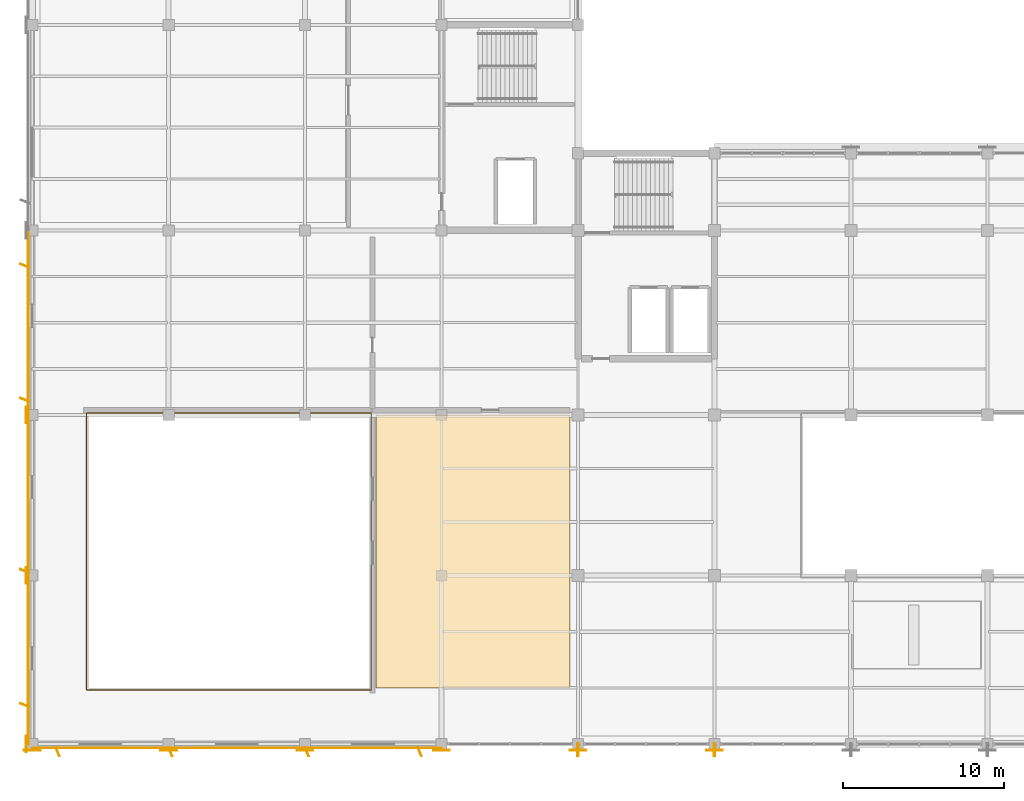
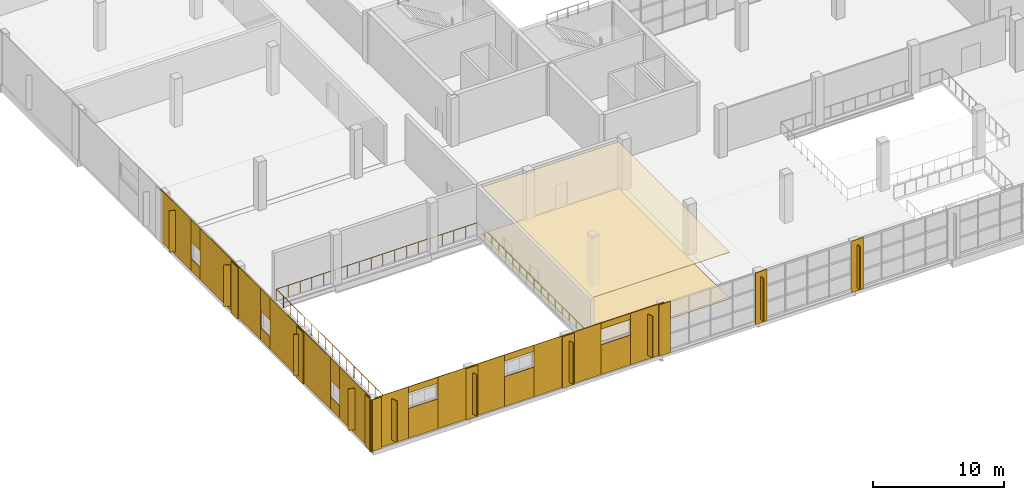
# One storey, part 89 of 101: 39 coverings, 2 shading devices, 1 railing.
"""IFC4 building model written with IfcOpenShell, lengths in metres."""

import ifcopenshell
import ifcopenshell.guid

model = None  # the IFC model being written
_history = None  # IfcOwnerHistory: only IFC2X3 demands one
_inside = {}  # id of a spatial element -> (the spatial element, [elements in it])
_under = {}  # id of a project, library or spatial element -> (it, [spatial elements below it])
_declared = {}  # id of a project -> (the project, [libraries it declares])
_typed = {}  # id of a type object -> (the type object, [elements of that type])
_made_of = {}  # id of a material, layer set ... -> (it, [elements and type objects made of it])


def new_model(schema):
    """Start an empty IFC model of exactly this schema.

    Asked for "IFC4X3", IfcOpenShell would pick the latest addendum, in which some entities
    have other attributes; the version numbers below select the first issue.
    IFC2X3 requires an IfcOwnerHistory on every rooted entity: one is made here for all.
    """
    global model, _history
    if schema == "IFC4X3":
        model = ifcopenshell.file(schema_version=(4, 3, 0, 0))
    else:
        model = ifcopenshell.file(schema=schema)
    _inside.clear()
    _under.clear()
    _declared.clear()
    _typed.clear()
    _made_of.clear()
    _history = None
    if model.schema == "IFC2X3":
        org = make("IfcOrganization", Name="unknown")
        user = make(
            "IfcPersonAndOrganization",
            ThePerson=make("IfcPerson", FamilyName="unknown"),
            TheOrganization=org,
        )
        app = make(
            "IfcApplication",
            ApplicationDeveloper=org,
            Version="unknown",
            ApplicationFullName="unknown",
            ApplicationIdentifier="unknown",
        )
        _history = make(
            "IfcOwnerHistory",
            OwningUser=user,
            OwningApplication=app,
            ChangeAction="ADDED",
            CreationDate=0,
        )
    return model


def make(cls, **values):
    """One entity of the class cls with the attributes given. An attribute that is None is left unset."""
    return model.create_entity(
        cls, **{name: value for name, value in values.items() if value is not None}
    )


def rooted(cls, **values):
    """An entity with a GlobalId (a new one), such as an element, a storey or a relation."""
    return make(cls, GlobalId=ifcopenshell.guid.new(), OwnerHistory=_history, **values)


def si_unit(unit_type, name, prefix=None):
    """IfcSIUnit, for example si_unit("LENGTHUNIT", "METRE", prefix="MILLI")."""
    return make("IfcSIUnit", UnitType=unit_type, Prefix=prefix, Name=name)


def assignment(units):
    """IfcUnitAssignment: the units of a project."""
    return None if units is None else make("IfcUnitAssignment", Units=units)


def point(xyz):
    """IfcCartesianPoint."""
    return None if xyz is None else make("IfcCartesianPoint", Coordinates=xyz)


def direction(xyz):
    """IfcDirection."""
    return None if xyz is None else make("IfcDirection", DirectionRatios=xyz)


def frame(location, z_axis=None, x_axis=None):
    """IfcAxis2Placement3D, a coordinate frame: its origin and axes. An axis left out is left unset."""
    return make(
        "IfcAxis2Placement3D",
        Location=point(location),
        Axis=direction(z_axis),
        RefDirection=direction(x_axis),
    )


def frame_2d(location, x_axis=None):
    """IfcAxis2Placement2D, a coordinate frame in the plane: its origin and x axis."""
    return make(
        "IfcAxis2Placement2D", Location=point(location), RefDirection=direction(x_axis)
    )


def origin():
    """The frame at (0, 0, 0) with its axes left unset."""
    return frame((0.0, 0.0, 0.0))


def origin_2d():
    """The frame at (0, 0) in the plane with its x axis left unset."""
    return frame_2d((0.0, 0.0))


def place(relative_to, where):
    """IfcLocalPlacement: puts the frame where relative to a parent placement (None: the world)."""
    return make(
        "IfcLocalPlacement", PlacementRelTo=relative_to, RelativePlacement=where
    )


def context(
    kind, dimensions, precision=None, world=None, true_north=None, identifier=None
):
    """IfcGeometricRepresentationContext, for example the 3D "Model" context."""
    return make(
        "IfcGeometricRepresentationContext",
        ContextIdentifier=identifier,
        ContextType=kind,
        CoordinateSpaceDimension=dimensions,
        Precision=precision,
        WorldCoordinateSystem=world,
        TrueNorth=true_north,
    )


def subcontext(parent, identifier, kind, view, scale=None):
    """IfcGeometricRepresentationSubContext, for example "Body" below "Model"."""
    return make(
        "IfcGeometricRepresentationSubContext",
        ContextIdentifier=identifier,
        ContextType=kind,
        ParentContext=parent,
        TargetScale=scale,
        TargetView=view,
    )


def project(units=None, contexts=None):
    """IfcProject with its units and contexts."""
    return rooted(
        "IfcProject",
        Name="project",
        RepresentationContexts=contexts,
        UnitsInContext=assignment(units),
    )


def spatial(cls, under=None, at=None, **own):
    """A site, building, storey or space (cls), placed at a placement, below another one or the project."""
    s = rooted(cls, ObjectPlacement=at, **own)
    if under is not None:
        _under.setdefault(under.id(), (under, []))[1].append(s)
    return s


def polyline(points):
    """IfcPolyline through the points."""
    return make("IfcPolyline", Points=[point(p) for p in points])


def profile(cls, at=None, kind="AREA", **sizes):
    """A parametric profile (cls). Its sizes go by their IFC names, for example OverallWidth=200.0."""
    return make(cls, ProfileType=kind, Position=at, **sizes)


def rectangle(**sizes):
    """IfcRectangleProfileDef."""
    return profile("IfcRectangleProfileDef", **sizes)


def hollow_rectangle(**sizes):
    """IfcRectangleHollowProfileDef."""
    return profile("IfcRectangleHollowProfileDef", **sizes)


def circle(**sizes):
    """IfcCircleProfileDef."""
    return profile("IfcCircleProfileDef", **sizes)


def outline(outer, holes=None, kind="AREA"):
    """IfcArbitraryClosedProfileDef: a profile drawn as a closed curve; with holes, ...WithVoids."""
    if holes is None:
        return make("IfcArbitraryClosedProfileDef", ProfileType=kind, OuterCurve=outer)
    return make(
        "IfcArbitraryProfileDefWithVoids",
        ProfileType=kind,
        OuterCurve=outer,
        InnerCurves=holes,
    )


def extrude(swept, where, along, depth):
    """IfcExtrudedAreaSolid: the profile swept, set in the frame where, extruded along a direction by depth."""
    return make(
        "IfcExtrudedAreaSolid",
        SweptArea=swept,
        Position=where,
        ExtrudedDirection=direction(along),
        Depth=depth,
    )


def shape(context_of_items, identifier, shape_type, items):
    """IfcShapeRepresentation: the items that make up one representation, for example the "Body"."""
    return make(
        "IfcShapeRepresentation",
        ContextOfItems=context_of_items,
        RepresentationIdentifier=identifier,
        RepresentationType=shape_type,
        Items=items,
    )


def material(Name=None, Category=None):
    """IfcMaterial."""
    return make("IfcMaterial", Name=Name, Category=Category)


def layer(
    of_material, thickness, ventilated=None, Name=None, Category=None, Priority=None
):
    """IfcMaterialLayer: one layer of a wall or slab, of a material (None: an air gap)."""
    return make(
        "IfcMaterialLayer",
        Material=of_material,
        LayerThickness=thickness,
        IsVentilated=ventilated,
        Name=Name,
        Category=Category,
        Priority=Priority,
    )


def layer_set(layers, Name=None):
    """IfcMaterialLayerSet."""
    return make("IfcMaterialLayerSet", MaterialLayers=layers, LayerSetName=Name)


def material_profile(
    of_material, cross_section, Name=None, Category=None, Priority=None
):
    """IfcMaterialProfile: a cross section and its material."""
    return make(
        "IfcMaterialProfile",
        Name=Name,
        Material=of_material,
        Profile=cross_section,
        Priority=Priority,
        Category=Category,
    )


def profile_set(profiles, Name=None, composite=None):
    """IfcMaterialProfileSet."""
    return make(
        "IfcMaterialProfileSet",
        Name=Name,
        MaterialProfiles=profiles,
        CompositeProfile=composite,
    )


def made_of(thing, what):
    """Note that an element or type object is made of a material, layer set ...; save() writes the relation."""
    if what is not None:
        _made_of.setdefault(what.id(), (what, []))[1].append(thing)
    return thing


def type_object(cls, material=None, **own):
    """A type object (cls), such as IfcWallType, which elements share."""
    return made_of(rooted(cls, **own), material)


def element(
    cls,
    number,
    at=None,
    inside=None,
    cuts=None,
    type_object=None,
    material=None,
    context=None,
    identifier="Body",
    shape_type=None,
    held_by="IfcProductDefinitionShape",
    body=None,
    shapes=None,
    **own,
):
    """One element of the class cls, such as IfcWall. Its Tag is "e" and its number.

    at: its placement. inside: the storey or other place that contains it. cuts: it is an
    opening in that element (IfcRelVoidsElement). A single representation is given by context,
    identifier, shape_type and body (its items); several are given by shapes. held_by: the class
    of the entity that holds the representations. save() writes the other relations.
    """
    e = rooted(cls, Tag="e%d" % number, ObjectPlacement=at, **own)
    if body is not None:
        shapes = [shape(context, identifier, shape_type, body)]
    if shapes is not None:
        e.Representation = make(held_by, Representations=shapes)
    if inside is not None:
        _inside.setdefault(inside.id(), (inside, []))[1].append(e)
    if cuts is not None:
        rooted(
            "IfcRelVoidsElement", RelatingBuildingElement=cuts, RelatedOpeningElement=e
        )
    if type_object is not None:
        _typed.setdefault(type_object.id(), (type_object, []))[1].append(e)
    return made_of(e, material)


def aggregate(whole, parts):
    """IfcRelAggregates: a whole, such as a stair, and the parts it consists of."""
    return rooted("IfcRelAggregates", RelatingObject=whole, RelatedObjects=parts)


def save(model, path):
    """Write the relations noted so far, then the file.

    IfcRelAggregates (storeys below a building ...), IfcRelContainedInSpatialStructure (elements
    in a storey), IfcRelDefinesByType, IfcRelAssociatesMaterial and IfcRelDeclares: one each for
    every whole, place, type object, material and project.
    """
    for whole, parts in _under.values():
        aggregate(whole, parts)
    for where, things in _inside.values():
        rooted(
            "IfcRelContainedInSpatialStructure",
            RelatedElements=things,
            RelatingStructure=where,
        )
    for kind, things in _typed.values():
        rooted("IfcRelDefinesByType", RelatedObjects=things, RelatingType=kind)
    for what, things in _made_of.values():
        rooted("IfcRelAssociatesMaterial", RelatedObjects=things, RelatingMaterial=what)
    for by, libraries in _declared.values():
        rooted("IfcRelDeclares", RelatingContext=by, RelatedDefinitions=libraries)
    model.write(path)


model = new_model("IFC4")

# Units and contexts
model_context = context("Model", 3, precision=1e-05, world=origin(), true_north=direction((0.0, 1.0)))
body_context = subcontext(model_context, "Body", "Model", "MODEL_VIEW")
ifc_project = project(units=[si_unit("LENGTHUNIT", "METRE"), si_unit("AREAUNIT", "SQUARE_METRE"), si_unit("VOLUMEUNIT", "CUBIC_METRE"), si_unit("PLANEANGLEUNIT", "RADIAN"), si_unit("MASSUNIT", "GRAM", prefix="KILO")], contexts=[model_context])

# Site, building, storey
site_placement = place(None, origin())
site = spatial("IfcSite", under=ifc_project, at=site_placement, CompositionType="ELEMENT")
building_placement = place(site_placement, origin())
building = spatial("IfcBuilding", under=site, at=building_placement, Name="Solvikara Media Centre", CompositionType="ELEMENT")
storey_placement = place(building_placement, frame((0.0, 0.0, 10.199951171875)))
storey = spatial("IfcBuildingStorey", under=building, at=storey_placement, Name="L02", CompositionType="ELEMENT", Elevation=10.199951171875)

# Coverings
ifc_material_1 = material(Name="Perforated acoustic gypsum ceiling board")
ifc_layer_1 = layer(ifc_material_1, 0.0400390625)
ifc_layer_set_1 = layer_set([ifc_layer_1], Name="Perforated acoustic gypsum ceiling board")
covering_type_1 = type_object("IfcCoveringType", Name="CV-01", PredefinedType="CEILING", material=ifc_layer_set_1)
covering_1_placement = place(storey_placement, frame((0.0, 0.0, 4.35009765625)))
element("IfcCovering", 1, at=covering_1_placement, inside=storey, type_object=covering_type_1, Name="CLG-030", PredefinedType="CEILING", context=body_context, shape_type="SweptSolid", body=[
    extrude(outline(polyline([(21.39990234375, 3.5), (33.5, 3.5), (33.5, 20.5), (21.39990234375, 20.5), (21.39990234375, 3.5)])), origin(), (0.0, 0.0, 1.0), 0.0400390625),
])
ifc_material_2 = material(Name="Polished terrazzo floor finish")
ifc_layer_2 = layer(ifc_material_2, 0.030029296875)
ifc_layer_set_2 = layer_set([ifc_layer_2], Name="Polished terrazzo floor finish")
covering_type_2 = type_object("IfcCoveringType", Name="CV-02", PredefinedType="FLOORING", material=ifc_layer_set_2)
covering_2_placement = place(storey_placement, origin())
element("IfcCovering", 2, at=covering_2_placement, inside=storey, type_object=covering_type_2, Name="FLR-030", PredefinedType="FLOORING", context=body_context, shape_type="SweptSolid", body=[
    extrude(outline(polyline([(21.39990234375, 3.5), (33.5, 3.5), (33.5, 20.5), (21.39990234375, 20.5), (21.39990234375, 3.5)])), origin(), (0.0, 0.0, 1.0), 0.030029296875),
])
ifc_material_3 = material(Name="GFRC white mineral architectural rainscreen panel")
ifc_layer_3 = layer(ifc_material_3, 0.050048828125)
ifc_layer_set_3 = layer_set([ifc_layer_3], Name="GFRC white mineral architectural rainscreen panel")
covering_type_3 = type_object("IfcCoveringType", Name="CV-04", PredefinedType="CLADDING", material=ifc_layer_set_3)
for number, where, z_axis, x_axis, name in (
    (3, (-0.375, 0.0, 0.0), (0.0, 0.0, 1.0), (0.0, -1.0, 0.0), "PIL-L02-005"),
    (4, (0.0, -0.375, 0.0), (0.0, 0.0, 1.0), (1.0, 0.0, 0.0), "PIL-L02-006"),
    (5, (-0.375, 10.5, 0.0), (0.0, 0.0, 1.0), (0.0, -1.0, 0.0), "PIL-L02-009"),
    (6, (-0.375, 20.5, 0.0), (0.0, 0.0, 1.0), (0.0, -1.0, 0.0), "PIL-L02-012"),
    (7, (8.5, -0.375, 0.0), (0.0, 0.0, 1.0), (1.0, 0.0, 0.0), "PIL-L02-050"),
    (8, (17.0, -0.375, 0.0), (0.0, 0.0, 1.0), (1.0, 0.0, 0.0), "PIL-L02-057"),
    (9, (25.5, -0.375, 0.0), (0.0, 0.0, 1.0), (1.0, 0.0, 0.0), "PIL-L02-064"),
    (10, (34.0, -0.375, 0.0), (0.0, 0.0, 1.0), (1.0, 0.0, 0.0), "PIL-L02-098"),
    (11, (42.5, -0.375, 0.0), (0.0, 0.0, 1.0), (1.0, 0.0, 0.0), "PIL-L02-109"),
):
    element("IfcCovering", number, at=place(storey_placement, frame(where, z_axis=z_axis, x_axis=x_axis)), inside=storey, type_object=covering_type_3, Name=name, PredefinedType="CLADDING", context=body_context, shape_type="SweptSolid", body=[
        extrude(rectangle(XDim=1.0400390625, YDim=0.050048828125, at=origin_2d()), origin(), (0.0, 0.0, 1.0), 4.800048828125),
    ])
covering_3_placement = place(storey_placement, frame((1.47509765625, -0.2451171875, 0.0), z_axis=(0.0, 0.0, 1.0), x_axis=(1.0, 0.0, 0.0)))
element("IfcCovering", 12, at=covering_3_placement, inside=storey, type_object=covering_type_3, Name="L02-V1S-CV-F01", PredefinedType="CLADDING", context=body_context, shape_type="SweptSolid", body=[
    extrude(rectangle(XDim=2.949951171875, YDim=0.050048828125, at=origin_2d()), origin(), (0.0, 0.0, 1.0), 4.800048828125),
])
covering_4_placement = place(storey_placement, frame((1.5849609375, -0.469970703125, 0.35009765625), z_axis=(0.0, 0.0, 1.0), x_axis=(0.3656566557, -0.930749810713, 0.0)))
element("IfcCovering", 13, at=covering_4_placement, inside=storey, type_object=covering_type_3, Name="L02-V1S-FIN-01", PredefinedType="CLADDING", context=body_context, shape_type="SweptSolid", body=[
    extrude(rectangle(XDim=0.60205078125, YDim=0.050048828125, at=origin_2d()), origin(), (0.0, 0.0, 1.0), 3.8701171875),
])
covering_5_placement = place(storey_placement, frame((4.25, -0.2451171875, 0.0), z_axis=(0.0, 0.0, 1.0), x_axis=(1.0, 0.0, 0.0)))
element("IfcCovering", 14, at=covering_5_placement, inside=storey, type_object=covering_type_3, Name="L02-V1S-CV-S02", PredefinedType="CLADDING", context=body_context, shape_type="SweptSolid", body=[
    extrude(rectangle(XDim=2.60009765625, YDim=0.050048828125, at=origin_2d()), origin(), (0.0, 0.0, 1.0), 2.77001953125),
])
covering_6_placement = place(storey_placement, frame((4.25, -0.2451171875, 4.22998046875), z_axis=(0.0, 0.0, 1.0), x_axis=(1.0, 0.0, 0.0)))
element("IfcCovering", 15, at=covering_6_placement, inside=storey, type_object=covering_type_3, Name="L02-V1S-CV-H02", PredefinedType="CLADDING", context=body_context, shape_type="SweptSolid", body=[
    extrude(rectangle(XDim=2.60009765625, YDim=0.050048828125, at=origin_2d()), origin(), (0.0, 0.0, 1.0), 0.570068359375),
])
covering_7_placement = place(storey_placement, frame((8.5, -0.2451171875, 0.0), z_axis=(0.0, 0.0, 1.0), x_axis=(1.0, 0.0, 0.0)))
element("IfcCovering", 16, at=covering_7_placement, inside=storey, type_object=covering_type_3, Name="L02-V1S-CV-F03", PredefinedType="CLADDING", context=body_context, shape_type="SweptSolid", body=[
    extrude(rectangle(XDim=5.89990234375, YDim=0.050048828125, at=origin_2d()), origin(), (0.0, 0.0, 1.0), 4.800048828125),
])
covering_8_placement = place(storey_placement, frame((8.610107421875, -0.469970703125, 0.35009765625), z_axis=(0.0, 0.0, 1.0), x_axis=(0.3656566557, -0.930749810713, 0.0)))
element("IfcCovering", 17, at=covering_8_placement, inside=storey, type_object=covering_type_3, Name="L02-V1S-FIN-03", PredefinedType="CLADDING", context=body_context, shape_type="SweptSolid", body=[
    extrude(rectangle(XDim=0.60205078125, YDim=0.050048828125, at=origin_2d()), origin(), (0.0, 0.0, 1.0), 3.8701171875),
])
covering_9_placement = place(storey_placement, frame((12.75, -0.2451171875, 0.0), z_axis=(0.0, 0.0, 1.0), x_axis=(1.0, 0.0, 0.0)))
element("IfcCovering", 18, at=covering_9_placement, inside=storey, type_object=covering_type_3, Name="L02-V1S-CV-S04", PredefinedType="CLADDING", context=body_context, shape_type="SweptSolid", body=[
    extrude(rectangle(XDim=2.60009765625, YDim=0.050048828125, at=origin_2d()), origin(), (0.0, 0.0, 1.0), 2.77001953125),
])
covering_10_placement = place(storey_placement, frame((12.75, -0.2451171875, 4.22998046875), z_axis=(0.0, 0.0, 1.0), x_axis=(1.0, 0.0, 0.0)))
element("IfcCovering", 19, at=covering_10_placement, inside=storey, type_object=covering_type_3, Name="L02-V1S-CV-H04", PredefinedType="CLADDING", context=body_context, shape_type="SweptSolid", body=[
    extrude(rectangle(XDim=2.60009765625, YDim=0.050048828125, at=origin_2d()), origin(), (0.0, 0.0, 1.0), 0.570068359375),
])
covering_11_placement = place(storey_placement, frame((17.0, -0.2451171875, 0.0), z_axis=(0.0, 0.0, 1.0), x_axis=(1.0, 0.0, 0.0)))
element("IfcCovering", 20, at=covering_11_placement, inside=storey, type_object=covering_type_3, Name="L02-V1S-CV-F05", PredefinedType="CLADDING", context=body_context, shape_type="SweptSolid", body=[
    extrude(rectangle(XDim=5.89990234375, YDim=0.050048828125, at=origin_2d()), origin(), (0.0, 0.0, 1.0), 4.800048828125),
])
covering_12_placement = place(storey_placement, frame((17.110107421875, -0.469970703125, 0.35009765625), z_axis=(0.0, 0.0, 1.0), x_axis=(0.3656566557, -0.930749810713, 0.0)))
element("IfcCovering", 21, at=covering_12_placement, inside=storey, type_object=covering_type_3, Name="L02-V1S-FIN-05", PredefinedType="CLADDING", context=body_context, shape_type="SweptSolid", body=[
    extrude(rectangle(XDim=0.60205078125, YDim=0.050048828125, at=origin_2d()), origin(), (0.0, 0.0, 1.0), 3.8701171875),
])
covering_13_placement = place(storey_placement, frame((21.25, -0.2451171875, 0.0), z_axis=(0.0, 0.0, 1.0), x_axis=(1.0, 0.0, 0.0)))
element("IfcCovering", 22, at=covering_13_placement, inside=storey, type_object=covering_type_3, Name="L02-V1S-CV-S06", PredefinedType="CLADDING", context=body_context, shape_type="SweptSolid", body=[
    extrude(rectangle(XDim=2.60009765625, YDim=0.050048828125, at=origin_2d()), origin(), (0.0, 0.0, 1.0), 2.77001953125),
])
covering_14_placement = place(storey_placement, frame((21.25, -0.2451171875, 4.22998046875), z_axis=(0.0, 0.0, 1.0), x_axis=(1.0, 0.0, 0.0)))
element("IfcCovering", 23, at=covering_14_placement, inside=storey, type_object=covering_type_3, Name="L02-V1S-CV-H06", PredefinedType="CLADDING", context=body_context, shape_type="SweptSolid", body=[
    extrude(rectangle(XDim=2.60009765625, YDim=0.050048828125, at=origin_2d()), origin(), (0.0, 0.0, 1.0), 0.570068359375),
])
covering_15_placement = place(storey_placement, frame((24.02490234375, -0.2451171875, 0.0), z_axis=(0.0, 0.0, 1.0), x_axis=(1.0, 0.0, 0.0)))
element("IfcCovering", 24, at=covering_15_placement, inside=storey, type_object=covering_type_3, Name="L02-V1S-CV-F07", PredefinedType="CLADDING", context=body_context, shape_type="SweptSolid", body=[
    extrude(rectangle(XDim=2.949951171875, YDim=0.050048828125, at=origin_2d()), origin(), (0.0, 0.0, 1.0), 4.800048828125),
])
covering_16_placement = place(storey_placement, frame((24.135009765625, -0.469970703125, 0.35009765625), z_axis=(0.0, 0.0, 1.0), x_axis=(0.3656566557, -0.930749810713, 0.0)))
element("IfcCovering", 25, at=covering_16_placement, inside=storey, type_object=covering_type_3, Name="L02-V1S-FIN-07", PredefinedType="CLADDING", context=body_context, shape_type="SweptSolid", body=[
    extrude(rectangle(XDim=0.60205078125, YDim=0.050048828125, at=origin_2d()), origin(), (0.0, 0.0, 1.0), 3.8701171875),
])
covering_17_placement = place(storey_placement, frame((-0.2451171875, 2.31689453125, 0.0), z_axis=(0.0, 0.0, 1.0), x_axis=(0.0, 1.0, 0.0)))
element("IfcCovering", 26, at=covering_17_placement, inside=storey, type_object=covering_type_3, Name="L02-V1W-CV-F01", PredefinedType="CLADDING", context=body_context, shape_type="SweptSolid", body=[
    extrude(rectangle(XDim=4.633056640625, YDim=0.050048828125, at=origin_2d()), origin(), (0.0, 0.0, 1.0), 4.800048828125),
])
covering_18_placement = place(storey_placement, frame((-0.469970703125, 2.427001953125, 0.35009765625), z_axis=(0.0, 0.0, 1.0), x_axis=(-0.930749810713, 0.3656566557, 0.0)))
element("IfcCovering", 27, at=covering_18_placement, inside=storey, type_object=covering_type_3, Name="L02-V1W-FIN-01", PredefinedType="CLADDING", context=body_context, shape_type="SweptSolid", body=[
    extrude(rectangle(XDim=0.60205078125, YDim=0.050048828125, at=origin_2d()), origin(), (0.0, 0.0, 1.0), 3.8701171875),
])
covering_19_placement = place(storey_placement, frame((-0.2451171875, 5.3330078125, 0.0), z_axis=(0.0, 0.0, 1.0), x_axis=(0.0, 1.0, 0.0)))
element("IfcCovering", 28, at=covering_19_placement, inside=storey, type_object=covering_type_3, Name="L02-V1W-CV-S02", PredefinedType="CLADDING", context=body_context, shape_type="SweptSolid", body=[
    extrude(rectangle(XDim=1.39990234375, YDim=0.050048828125, at=origin_2d()), origin(), (0.0, 0.0, 1.0), 1.169921875),
])
covering_20_placement = place(storey_placement, frame((-0.2451171875, 5.3330078125, 2.72998046875), z_axis=(0.0, 0.0, 1.0), x_axis=(0.0, 1.0, 0.0)))
element("IfcCovering", 29, at=covering_20_placement, inside=storey, type_object=covering_type_3, Name="L02-V1W-CV-H02", PredefinedType="CLADDING", context=body_context, shape_type="SweptSolid", body=[
    extrude(rectangle(XDim=1.39990234375, YDim=0.050048828125, at=origin_2d()), origin(), (0.0, 0.0, 1.0), 2.070068359375),
])
covering_21_placement = place(storey_placement, frame((-0.2451171875, 10.6669921875, 0.0), z_axis=(0.0, 0.0, 1.0), x_axis=(0.0, 1.0, 0.0)))
element("IfcCovering", 30, at=covering_21_placement, inside=storey, type_object=covering_type_3, Name="L02-V1W-CV-F03", PredefinedType="CLADDING", context=body_context, shape_type="SweptSolid", body=[
    extrude(rectangle(XDim=9.26708984375, YDim=0.050048828125, at=origin_2d()), origin(), (0.0, 0.0, 1.0), 4.800048828125),
])
covering_22_placement = place(storey_placement, frame((-0.469970703125, 10.777099609375, 0.35009765625), z_axis=(0.0, 0.0, 1.0), x_axis=(-0.930749810713, 0.3656566557, 0.0)))
element("IfcCovering", 31, at=covering_22_placement, inside=storey, type_object=covering_type_3, Name="L02-V1W-FIN-03", PredefinedType="CLADDING", context=body_context, shape_type="SweptSolid", body=[
    extrude(rectangle(XDim=0.60205078125, YDim=0.050048828125, at=origin_2d()), origin(), (0.0, 0.0, 1.0), 3.8701171875),
])
covering_23_placement = place(storey_placement, frame((-0.2451171875, 16.0, 0.0), z_axis=(0.0, 0.0, 1.0), x_axis=(0.0, 1.0, 0.0)))
element("IfcCovering", 32, at=covering_23_placement, inside=storey, type_object=covering_type_3, Name="L02-V1W-CV-S04", PredefinedType="CLADDING", context=body_context, shape_type="SweptSolid", body=[
    extrude(rectangle(XDim=1.39990234375, YDim=0.050048828125, at=origin_2d()), origin(), (0.0, 0.0, 1.0), 1.169921875),
])
covering_24_placement = place(storey_placement, frame((-0.2451171875, 16.0, 2.72998046875), z_axis=(0.0, 0.0, 1.0), x_axis=(0.0, 1.0, 0.0)))
element("IfcCovering", 33, at=covering_24_placement, inside=storey, type_object=covering_type_3, Name="L02-V1W-CV-H04", PredefinedType="CLADDING", context=body_context, shape_type="SweptSolid", body=[
    extrude(rectangle(XDim=1.39990234375, YDim=0.050048828125, at=origin_2d()), origin(), (0.0, 0.0, 1.0), 2.070068359375),
])
covering_25_placement = place(storey_placement, frame((-0.2451171875, 21.333984375, 0.0), z_axis=(0.0, 0.0, 1.0), x_axis=(0.0, 1.0, 0.0)))
element("IfcCovering", 34, at=covering_25_placement, inside=storey, type_object=covering_type_3, Name="L02-V1W-CV-F05", PredefinedType="CLADDING", context=body_context, shape_type="SweptSolid", body=[
    extrude(rectangle(XDim=9.26708984375, YDim=0.050048828125, at=origin_2d()), origin(), (0.0, 0.0, 1.0), 4.800048828125),
])
covering_26_placement = place(storey_placement, frame((-0.469970703125, 21.444091796875, 0.35009765625), z_axis=(0.0, 0.0, 1.0), x_axis=(-0.930749810713, 0.3656566557, 0.0)))
element("IfcCovering", 35, at=covering_26_placement, inside=storey, type_object=covering_type_3, Name="L02-V1W-FIN-05", PredefinedType="CLADDING", context=body_context, shape_type="SweptSolid", body=[
    extrude(rectangle(XDim=0.60205078125, YDim=0.050048828125, at=origin_2d()), origin(), (0.0, 0.0, 1.0), 3.8701171875),
])
covering_27_placement = place(storey_placement, frame((-0.2451171875, 26.6669921875, 0.0), z_axis=(0.0, 0.0, 1.0), x_axis=(0.0, 1.0, 0.0)))
element("IfcCovering", 36, at=covering_27_placement, inside=storey, type_object=covering_type_3, Name="L02-V1W-CV-S06", PredefinedType="CLADDING", context=body_context, shape_type="SweptSolid", body=[
    extrude(rectangle(XDim=1.39990234375, YDim=0.050048828125, at=origin_2d()), origin(), (0.0, 0.0, 1.0), 1.169921875),
])
covering_28_placement = place(storey_placement, frame((-0.2451171875, 26.6669921875, 2.72998046875), z_axis=(0.0, 0.0, 1.0), x_axis=(0.0, 1.0, 0.0)))
element("IfcCovering", 37, at=covering_28_placement, inside=storey, type_object=covering_type_3, Name="L02-V1W-CV-H06", PredefinedType="CLADDING", context=body_context, shape_type="SweptSolid", body=[
    extrude(rectangle(XDim=1.39990234375, YDim=0.050048828125, at=origin_2d()), origin(), (0.0, 0.0, 1.0), 2.070068359375),
])
covering_29_placement = place(storey_placement, frame((-0.2451171875, 29.68408203125, 0.0), z_axis=(0.0, 0.0, 1.0), x_axis=(0.0, 1.0, 0.0)))
element("IfcCovering", 38, at=covering_29_placement, inside=storey, type_object=covering_type_3, Name="L02-V1W-CV-F07", PredefinedType="CLADDING", context=body_context, shape_type="SweptSolid", body=[
    extrude(rectangle(XDim=4.633056640625, YDim=0.050048828125, at=origin_2d()), origin(), (0.0, 0.0, 1.0), 4.800048828125),
])
covering_30_placement = place(storey_placement, frame((-0.469970703125, 29.7939453125, 0.35009765625), z_axis=(0.0, 0.0, 1.0), x_axis=(-0.930749810713, 0.3656566557, 0.0)))
element("IfcCovering", 39, at=covering_30_placement, inside=storey, type_object=covering_type_3, Name="L02-V1W-FIN-07", PredefinedType="CLADDING", context=body_context, shape_type="SweptSolid", body=[
    extrude(rectangle(XDim=0.60205078125, YDim=0.050048828125, at=origin_2d()), origin(), (0.0, 0.0, 1.0), 3.8701171875),
])

# Railing
ifc_material_4 = material(Name="Steel S355JR", Category="steel")
railing_type = type_object("IfcRailingType", Name="GR-02", PredefinedType="BALUSTRADE", material=ifc_material_4)
railing_placement = place(storey_placement, frame((3.3798828125, 3.3798828125, 0.0)))
element("IfcRailing", 40, at=railing_placement, inside=storey, type_object=railing_type, Name="GR-CIN-L02", PredefinedType="BALUSTRADE", context=body_context, shape_type="SweptSolid", body=[
    extrude(circle(Radius=0.02392578125, at=origin_2d()), frame((0.0, 0.0, 1.09619140625), z_axis=(1.0, 0.0, 0.0), x_axis=(0.0, 1.0, 0.0)), (0.0, 0.0, 1.0), 17.740234375),
    extrude(circle(Radius=0.02392578125, at=origin_2d()), frame((17.740234375, 0.0, 1.09619140625), z_axis=(0.0, 1.0, 0.0), x_axis=(-1.0, 0.0, 0.0)), (0.0, 0.0, 1.0), 17.240234375),
    extrude(circle(Radius=0.02392578125, at=origin_2d()), frame((17.740234375, 17.240234375, 1.09619140625), z_axis=(-1.0, 0.0, 0.0), x_axis=(0.0, -1.0, 0.0)), (0.0, 0.0, 1.0), 17.740234375),
    extrude(circle(Radius=0.02392578125, at=origin_2d()), frame((0.0, 17.240234375, 1.09619140625), z_axis=(0.0, -1.0, 0.0), x_axis=(1.0, 0.0, 0.0)), (0.0, 0.0, 1.0), 17.240234375),
    extrude(circle(Radius=0.02099609375, at=origin_2d()), origin(), (0.0, 0.0, 1.0), 1.072021484375),
    extrude(circle(Radius=0.02099609375, at=origin_2d()), frame((1.04345703125, 0.0, 0.0)), (0.0, 0.0, 1.0), 1.072021484375),
    extrude(circle(Radius=0.02099609375, at=origin_2d()), frame((2.087158203125, 0.0, 0.0)), (0.0, 0.0, 1.0), 1.072021484375),
    extrude(circle(Radius=0.02099609375, at=origin_2d()), frame((3.130615234375, 0.0, 0.0)), (0.0, 0.0, 1.0), 1.072021484375),
    extrude(circle(Radius=0.02099609375, at=origin_2d()), frame((4.174072265625, 0.0, 0.0)), (0.0, 0.0, 1.0), 1.072021484375),
    extrude(circle(Radius=0.02099609375, at=origin_2d()), frame((5.2177734375, 0.0, 0.0)), (0.0, 0.0, 1.0), 1.072021484375),
    extrude(circle(Radius=0.02099609375, at=origin_2d()), frame((6.26123046875, 0.0, 0.0)), (0.0, 0.0, 1.0), 1.072021484375),
    extrude(circle(Radius=0.02099609375, at=origin_2d()), frame((7.3046875, 0.0, 0.0)), (0.0, 0.0, 1.0), 1.072021484375),
    extrude(circle(Radius=0.02099609375, at=origin_2d()), frame((8.348388671875, 0.0, 0.0)), (0.0, 0.0, 1.0), 1.072021484375),
    extrude(circle(Radius=0.02099609375, at=origin_2d()), frame((9.391845703125, 0.0, 0.0)), (0.0, 0.0, 1.0), 1.072021484375),
    extrude(circle(Radius=0.02099609375, at=origin_2d()), frame((10.435546875, 0.0, 0.0)), (0.0, 0.0, 1.0), 1.072021484375),
    extrude(circle(Radius=0.02099609375, at=origin_2d()), frame((11.47900390625, 0.0, 0.0)), (0.0, 0.0, 1.0), 1.072021484375),
    extrude(circle(Radius=0.02099609375, at=origin_2d()), frame((12.5224609375, 0.0, 0.0)), (0.0, 0.0, 1.0), 1.072021484375),
    extrude(circle(Radius=0.02099609375, at=origin_2d()), frame((13.566162109375, 0.0, 0.0)), (0.0, 0.0, 1.0), 1.072021484375),
    extrude(circle(Radius=0.02099609375, at=origin_2d()), frame((14.609619140625, 0.0, 0.0)), (0.0, 0.0, 1.0), 1.072021484375),
    extrude(circle(Radius=0.02099609375, at=origin_2d()), frame((15.653076171875, 0.0, 0.0)), (0.0, 0.0, 1.0), 1.072021484375),
    extrude(circle(Radius=0.02099609375, at=origin_2d()), frame((16.69677734375, 0.0, 0.0)), (0.0, 0.0, 1.0), 1.072021484375),
    extrude(circle(Radius=0.02099609375, at=origin_2d()), frame((17.740234375, 0.0, 0.0)), (0.0, 0.0, 1.0), 1.072021484375),
    extrude(circle(Radius=0.02099609375, at=origin_2d()), frame((17.740234375, 1.07763671875, 0.0)), (0.0, 0.0, 1.0), 1.072021484375),
    extrude(circle(Radius=0.02099609375, at=origin_2d()), frame((17.740234375, 2.155029296875, 0.0)), (0.0, 0.0, 1.0), 1.072021484375),
    extrude(circle(Radius=0.02099609375, at=origin_2d()), frame((17.740234375, 3.232421875, 0.0)), (0.0, 0.0, 1.0), 1.072021484375),
    extrude(circle(Radius=0.02099609375, at=origin_2d()), frame((17.740234375, 4.31005859375, 0.0)), (0.0, 0.0, 1.0), 1.072021484375),
    extrude(circle(Radius=0.02099609375, at=origin_2d()), frame((17.740234375, 5.3876953125, 0.0)), (0.0, 0.0, 1.0), 1.072021484375),
    extrude(circle(Radius=0.02099609375, at=origin_2d()), frame((17.740234375, 6.465087890625, 0.0)), (0.0, 0.0, 1.0), 1.072021484375),
    extrude(circle(Radius=0.02099609375, at=origin_2d()), frame((17.740234375, 7.54248046875, 0.0)), (0.0, 0.0, 1.0), 1.072021484375),
    extrude(circle(Radius=0.02099609375, at=origin_2d()), frame((17.740234375, 8.6201171875, 0.0)), (0.0, 0.0, 1.0), 1.072021484375),
    extrude(circle(Radius=0.02099609375, at=origin_2d()), frame((17.740234375, 9.69775390625, 0.0)), (0.0, 0.0, 1.0), 1.072021484375),
    extrude(circle(Radius=0.02099609375, at=origin_2d()), frame((17.740234375, 10.775146484375, 0.0)), (0.0, 0.0, 1.0), 1.072021484375),
    extrude(circle(Radius=0.02099609375, at=origin_2d()), frame((17.740234375, 11.8525390625, 0.0)), (0.0, 0.0, 1.0), 1.072021484375),
    extrude(circle(Radius=0.02099609375, at=origin_2d()), frame((17.740234375, 12.93017578125, 0.0)), (0.0, 0.0, 1.0), 1.072021484375),
    extrude(circle(Radius=0.02099609375, at=origin_2d()), frame((17.740234375, 14.0078125, 0.0)), (0.0, 0.0, 1.0), 1.072021484375),
    extrude(circle(Radius=0.02099609375, at=origin_2d()), frame((17.740234375, 15.085205078125, 0.0)), (0.0, 0.0, 1.0), 1.072021484375),
    extrude(circle(Radius=0.02099609375, at=origin_2d()), frame((17.740234375, 16.16259765625, 0.0)), (0.0, 0.0, 1.0), 1.072021484375),
    extrude(circle(Radius=0.02099609375, at=origin_2d()), frame((17.740234375, 17.240234375, 0.0)), (0.0, 0.0, 1.0), 1.072021484375),
    extrude(circle(Radius=0.02099609375, at=origin_2d()), frame((16.69677734375, 17.240234375, 0.0)), (0.0, 0.0, 1.0), 1.072021484375),
    extrude(circle(Radius=0.02099609375, at=origin_2d()), frame((15.653076171875, 17.240234375, 0.0)), (0.0, 0.0, 1.0), 1.072021484375),
    extrude(circle(Radius=0.02099609375, at=origin_2d()), frame((14.609619140625, 17.240234375, 0.0)), (0.0, 0.0, 1.0), 1.072021484375),
    extrude(circle(Radius=0.02099609375, at=origin_2d()), frame((13.566162109375, 17.240234375, 0.0)), (0.0, 0.0, 1.0), 1.072021484375),
    extrude(circle(Radius=0.02099609375, at=origin_2d()), frame((12.5224609375, 17.240234375, 0.0)), (0.0, 0.0, 1.0), 1.072021484375),
    extrude(circle(Radius=0.02099609375, at=origin_2d()), frame((11.47900390625, 17.240234375, 0.0)), (0.0, 0.0, 1.0), 1.072021484375),
    extrude(circle(Radius=0.02099609375, at=origin_2d()), frame((10.435546875, 17.240234375, 0.0)), (0.0, 0.0, 1.0), 1.072021484375),
    extrude(circle(Radius=0.02099609375, at=origin_2d()), frame((9.391845703125, 17.240234375, 0.0)), (0.0, 0.0, 1.0), 1.072021484375),
    extrude(circle(Radius=0.02099609375, at=origin_2d()), frame((8.348388671875, 17.240234375, 0.0)), (0.0, 0.0, 1.0), 1.072021484375),
    extrude(circle(Radius=0.02099609375, at=origin_2d()), frame((7.3046875, 17.240234375, 0.0)), (0.0, 0.0, 1.0), 1.072021484375),
    extrude(circle(Radius=0.02099609375, at=origin_2d()), frame((6.26123046875, 17.240234375, 0.0)), (0.0, 0.0, 1.0), 1.072021484375),
    extrude(circle(Radius=0.02099609375, at=origin_2d()), frame((5.2177734375, 17.240234375, 0.0)), (0.0, 0.0, 1.0), 1.072021484375),
    extrude(circle(Radius=0.02099609375, at=origin_2d()), frame((4.174072265625, 17.240234375, 0.0)), (0.0, 0.0, 1.0), 1.072021484375),
    extrude(circle(Radius=0.02099609375, at=origin_2d()), frame((3.130615234375, 17.240234375, 0.0)), (0.0, 0.0, 1.0), 1.072021484375),
    extrude(circle(Radius=0.02099609375, at=origin_2d()), frame((2.087158203125, 17.240234375, 0.0)), (0.0, 0.0, 1.0), 1.072021484375),
    extrude(circle(Radius=0.02099609375, at=origin_2d()), frame((1.04345703125, 17.240234375, 0.0)), (0.0, 0.0, 1.0), 1.072021484375),
    extrude(circle(Radius=0.02099609375, at=origin_2d()), frame((0.0, 17.240234375, 0.0)), (0.0, 0.0, 1.0), 1.072021484375),
    extrude(circle(Radius=0.02099609375, at=origin_2d()), frame((0.0, 16.16259765625, 0.0)), (0.0, 0.0, 1.0), 1.072021484375),
    extrude(circle(Radius=0.02099609375, at=origin_2d()), frame((0.0, 15.085205078125, 0.0)), (0.0, 0.0, 1.0), 1.072021484375),
    extrude(circle(Radius=0.02099609375, at=origin_2d()), frame((0.0, 14.0078125, 0.0)), (0.0, 0.0, 1.0), 1.072021484375),
    extrude(circle(Radius=0.02099609375, at=origin_2d()), frame((0.0, 12.93017578125, 0.0)), (0.0, 0.0, 1.0), 1.072021484375),
    extrude(circle(Radius=0.02099609375, at=origin_2d()), frame((0.0, 11.8525390625, 0.0)), (0.0, 0.0, 1.0), 1.072021484375),
    extrude(circle(Radius=0.02099609375, at=origin_2d()), frame((0.0, 10.775146484375, 0.0)), (0.0, 0.0, 1.0), 1.072021484375),
    extrude(circle(Radius=0.02099609375, at=origin_2d()), frame((0.0, 9.69775390625, 0.0)), (0.0, 0.0, 1.0), 1.072021484375),
    extrude(circle(Radius=0.02099609375, at=origin_2d()), frame((0.0, 8.6201171875, 0.0)), (0.0, 0.0, 1.0), 1.072021484375),
    extrude(circle(Radius=0.02099609375, at=origin_2d()), frame((0.0, 7.54248046875, 0.0)), (0.0, 0.0, 1.0), 1.072021484375),
    extrude(circle(Radius=0.02099609375, at=origin_2d()), frame((0.0, 6.465087890625, 0.0)), (0.0, 0.0, 1.0), 1.072021484375),
    extrude(circle(Radius=0.02099609375, at=origin_2d()), frame((0.0, 5.3876953125, 0.0)), (0.0, 0.0, 1.0), 1.072021484375),
    extrude(circle(Radius=0.02099609375, at=origin_2d()), frame((0.0, 4.31005859375, 0.0)), (0.0, 0.0, 1.0), 1.072021484375),
    extrude(circle(Radius=0.02099609375, at=origin_2d()), frame((0.0, 3.232421875, 0.0)), (0.0, 0.0, 1.0), 1.072021484375),
    extrude(circle(Radius=0.02099609375, at=origin_2d()), frame((0.0, 2.155029296875, 0.0)), (0.0, 0.0, 1.0), 1.072021484375),
    extrude(circle(Radius=0.02099609375, at=origin_2d()), frame((0.0, 1.07763671875, 0.0)), (0.0, 0.0, 1.0), 1.072021484375),
])

# Shading devices
ifc_material_5 = material(Name="Anodised aluminium EN AW-6063", Category="aluminium")
ifc_material_profile = material_profile(ifc_material_5, hollow_rectangle(XDim=0.080078125, YDim=0.800048828125, WallThickness=0.00390625, at=origin_2d()), Name="ALU-FIN 80x800x4")
ifc_profile_set = profile_set([ifc_material_profile], Name="Anodised aluminium EN AW-6063")
shading_device_type = type_object("IfcShadingDeviceType", Name="SH-01", PredefinedType="USERDEFINED", material=ifc_profile_set)
for number, where, z_axis, x_axis, name in (
    (41, (34.0, -0.35009765625, 0.300048828125), (0.0, 0.0, 1.0), (1.0, 0.0, 0.0), "FIN-L02-006"),
    (42, (42.5, -0.35009765625, 0.300048828125), (0.0, 0.0, 1.0), (1.0, 0.0, 0.0), "FIN-L02-007"),
):
    element("IfcShadingDevice", number, at=place(storey_placement, frame(where, z_axis=z_axis, x_axis=x_axis)), inside=storey, type_object=shading_device_type, Name=name, ObjectType="FIN", PredefinedType="USERDEFINED", context=body_context, shape_type="SweptSolid", body=[
        extrude(hollow_rectangle(XDim=0.080078125, YDim=0.800048828125, WallThickness=0.00390625, at=origin_2d()), origin(), (0.0, 0.0, 1.0), 4.0),
    ])

save(model, "model.ifc")
